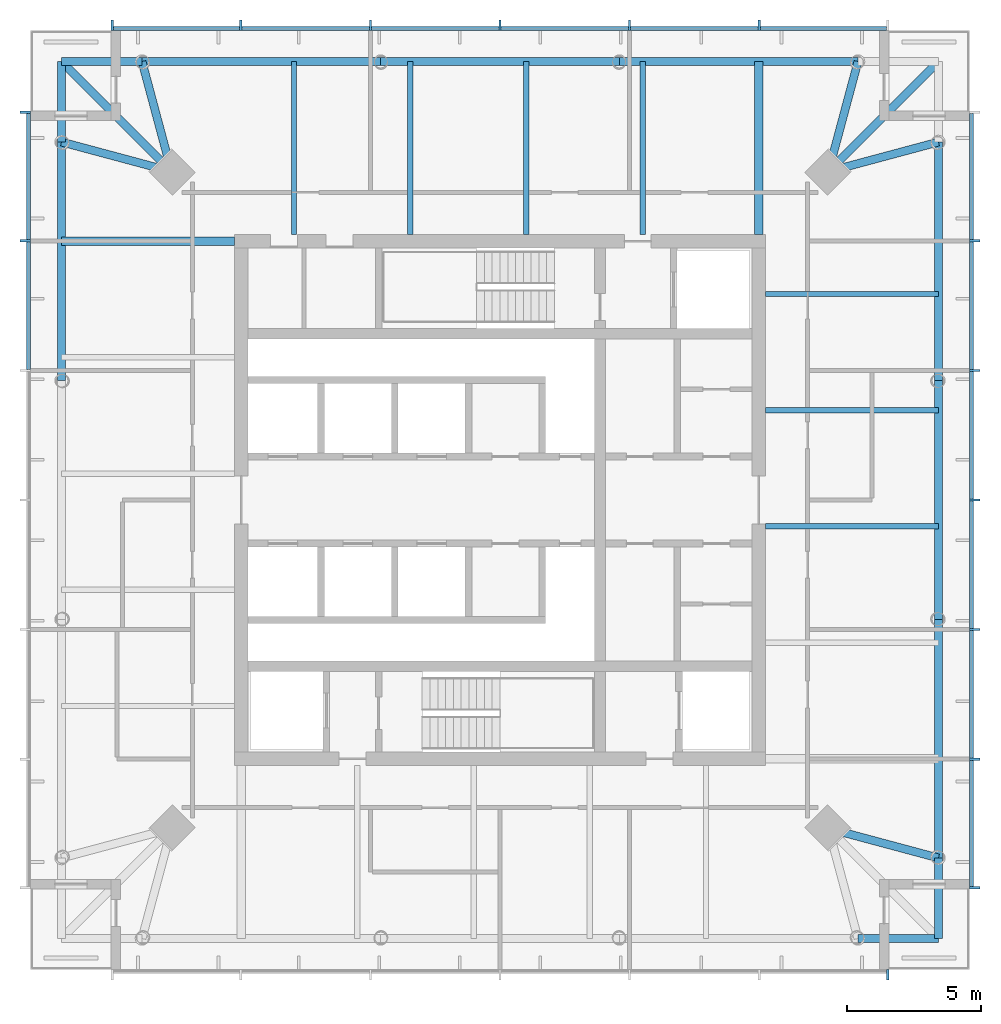
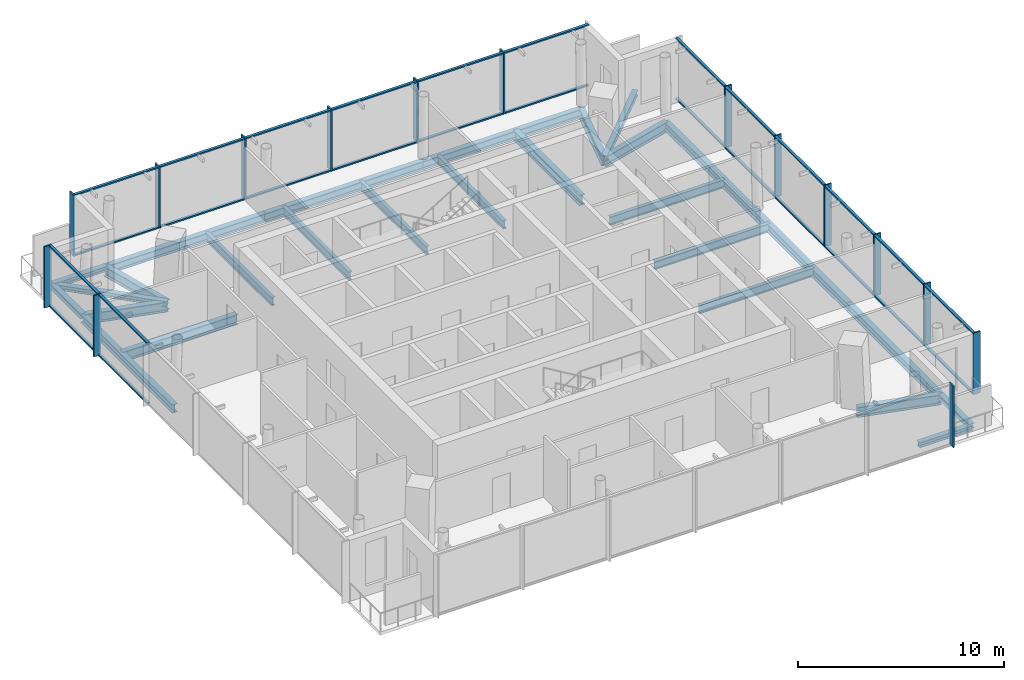
# One storey, part 2 of 7: 43 members, 27 beams, 4 elements without a shape of their own.
"""IFC4 building model written with IfcOpenShell, lengths in metres."""

from ifc_helpers import new_model, si_unit, direction, frame, origin, origin_2d, place, context, subcontext, project, spatial, rectangle, i_section, extrude, material, material_profile, profile_set, type_object, element, aggregate, save


model = new_model("IFC4")

# Units and contexts
model_context = context("Model", 3, precision=1e-05, world=origin(), true_north=direction((0.0, 1.0)))
body_context = subcontext(model_context, "Body", "Model", "MODEL_VIEW")
ifc_project = project(units=[si_unit("LENGTHUNIT", "METRE"), si_unit("AREAUNIT", "SQUARE_METRE"), si_unit("VOLUMEUNIT", "CUBIC_METRE"), si_unit("PLANEANGLEUNIT", "RADIAN"), si_unit("MASSUNIT", "GRAM", prefix="KILO")], contexts=[model_context])

# Site, building, storey
site_placement = place(None, origin())
site = spatial("IfcSite", under=ifc_project, at=site_placement, CompositionType="ELEMENT")
building_placement = place(site_placement, origin())
building = spatial("IfcBuilding", under=site, at=building_placement, Name="Ostroluk Exchange", CompositionType="ELEMENT")
storey_placement = place(building_placement, frame((0.0, 0.0, 260.39990234375)))
storey = spatial("IfcBuildingStorey", under=building, at=storey_placement, Name="L67", CompositionType="ELEMENT", Elevation=260.39990234375)

# Beams
ifc_material_1 = material(Name="Steel S355", Category="steel")
ifc_material_profile_1 = material_profile(ifc_material_1, i_section(OverallWidth=0.300048828125, OverallDepth=0.300048828125, WebThickness=0.010986328125, FlangeThickness=0.01904296875, FilletRadius=0.027099609375, at=origin_2d()), Name="HEB 300")
ifc_profile_set_1 = profile_set([ifc_material_profile_1], Name="Steel S355")
beam_type_1 = type_object("IfcBeamType", Name="Balcony beam HEB 300", PredefinedType="BEAM", material=ifc_profile_set_1)
beam_1_placement = place(storey_placement, frame((57.25, 58.25, -0.329833984375), z_axis=(0.707106781187, 0.707106781187, 0.0), x_axis=(-0.707106781187, 0.707106781187, 0.0)))
element("IfcBeam", 1, at=beam_1_placement, inside=storey, type_object=beam_type_1, Name="T1 east balcony beam c", PredefinedType="BEAM", context=body_context, shape_type="SweptSolid", body=[
    extrude(i_section(OverallWidth=0.300048828125, OverallDepth=0.300048828125, WebThickness=0.010986328125, FlangeThickness=0.01904296875, FilletRadius=0.027099609375, at=origin_2d()), origin(), (0.0, 0.0, 1.0), 5.79833984375),
])
for number, where, z_axis, x_axis, name in (
    (2, (31.64990234375, 62.35009765625, -0.329833984375), (-1.0, 0.0, 0.0), (0.0, -1.0, 0.0), "T1 north balcony beam a"),
    (3, (28.64990234375, 59.35009765625, -0.329833984375), (0.0, 1.0, 0.0), (-1.0, 0.0, 0.0), "T1 north balcony beam b"),
):
    element("IfcBeam", number, at=place(storey_placement, frame(where, z_axis=z_axis, x_axis=x_axis)), inside=storey, type_object=beam_type_1, Name=name, PredefinedType="BEAM", context=body_context, shape_type="SweptSolid", body=[
        extrude(i_section(OverallWidth=0.300048828125, OverallDepth=0.300048828125, WebThickness=0.010986328125, FlangeThickness=0.01904296875, FilletRadius=0.027099609375, at=origin_2d()), origin(), (0.0, 0.0, 1.0), 3.0),
    ])
beam_2_placement = place(storey_placement, frame((32.75, 58.25, -0.329833984375), z_axis=(-0.707106781187, 0.707106781187, 0.0), x_axis=(-0.707106781187, -0.707106781187, 0.0)))
element("IfcBeam", 4, at=beam_2_placement, inside=storey, type_object=beam_type_1, Name="T1 north balcony beam c", PredefinedType="BEAM", context=body_context, shape_type="SweptSolid", body=[
    extrude(i_section(OverallWidth=0.300048828125, OverallDepth=0.300048828125, WebThickness=0.010986328125, FlangeThickness=0.01904296875, FilletRadius=0.027099609375, at=origin_2d()), origin(), (0.0, 0.0, 1.0), 5.79833984375),
])
for number, where, z_axis, x_axis, name in (
    (5, (58.35009765625, 29.64990234375, -0.329833984375), (1.0, 0.0, 0.0), (0.0, 1.0, 0.0), "T1 south balcony beam a"),
    (6, (61.35009765625, 32.64990234375, -0.329833984375), (0.0, -1.0, 0.0), (1.0, 0.0, 0.0), "T1 south balcony beam b"),
):
    element("IfcBeam", number, at=place(storey_placement, frame(where, z_axis=z_axis, x_axis=x_axis)), inside=storey, type_object=beam_type_1, Name=name, PredefinedType="BEAM", context=body_context, shape_type="SweptSolid", body=[
        extrude(i_section(OverallWidth=0.300048828125, OverallDepth=0.300048828125, WebThickness=0.010986328125, FlangeThickness=0.01904296875, FilletRadius=0.027099609375, at=origin_2d()), origin(), (0.0, 0.0, 1.0), 3.0),
    ])
ifc_material_2 = material(Name="Steel S355", Category="steel")
ifc_material_profile_2 = material_profile(ifc_material_2, i_section(OverallWidth=0.300048828125, OverallDepth=0.60009765625, WebThickness=0.015380859375, FlangeThickness=0.030029296875, FilletRadius=0.027099609375, at=origin_2d()), Name="HEB 600")
ifc_profile_set_2 = profile_set([ifc_material_profile_2], Name="Steel S355")
beam_type_2 = type_object("IfcBeamType", Name="Corner edge beam HEB 600", PredefinedType="SPANDREL", material=ifc_profile_set_2)
for number, where, z_axis, x_axis, name in (
    (7, (57.25, 58.25, -0.47998046875), (0.965838624319, 0.259144268261, 0.0), (-0.259144268261, 0.965838624319, 0.0), "T1 east corner edge beam a"),
    (8, (57.25, 58.25, -0.47998046875), (0.259144268261, 0.965838624319, 0.0), (-0.965838624319, 0.259144268261, 0.0), "T1 east corner edge beam b"),
    (9, (32.75, 58.25, -0.47998046875), (-0.259144268261, 0.965838624319, 0.0), (-0.965838624319, -0.259144268261, 0.0), "T1 north corner edge beam a"),
    (10, (32.75, 58.25, -0.47998046875), (-0.965838624319, 0.259144268261, 0.0), (-0.259144268261, -0.965838624319, 0.0), "T1 north corner edge beam b"),
    (11, (57.25, 33.75, -0.47998046875), (0.965838624319, -0.259144268261, 0.0), (0.259144268261, 0.965838624319, 0.0), "T1 south corner edge beam b"),
):
    element("IfcBeam", number, at=place(storey_placement, frame(where, z_axis=z_axis, x_axis=x_axis)), inside=storey, type_object=beam_type_2, Name=name, PredefinedType="SPANDREL", context=body_context, shape_type="SweptSolid", body=[
        extrude(i_section(OverallWidth=0.300048828125, OverallDepth=0.60009765625, WebThickness=0.015380859375, FlangeThickness=0.030029296875, FilletRadius=0.027099609375, at=origin_2d()), origin(), (0.0, 0.0, 1.0), 4.2451171875),
    ])
ifc_material_3 = material(Name="Steel S355", Category="steel")
ifc_material_profile_3 = material_profile(ifc_material_3, i_section(OverallWidth=0.199951171875, OverallDepth=0.5, WebThickness=0.01025390625, FlangeThickness=0.01611328125, FilletRadius=0.02099609375, at=origin_2d()), Name="IPE 500")
ifc_profile_set_3 = profile_set([ifc_material_profile_3], Name="Steel S355")
beam_type_3 = type_object("IfcBeamType", Name="Floor beam IPE 500", PredefinedType="BEAM", material=ifc_profile_set_3)
for number, where, z_axis, x_axis, name in (
    (12, (54.89990234375, 45.0166015625, -0.429931640625), (1.0, 0.0, 0.0), (0.0, 1.0, 0.0), "T1 east floor beam 2"),
    (13, (54.89990234375, 49.35009765625, -0.429931640625), (1.0, 0.0, 0.0), (0.0, 1.0, 0.0), "T1 east floor beam 3"),
    (14, (54.89990234375, 53.683349609375, -0.429931640625), (1.0, 0.0, 0.0), (0.0, 1.0, 0.0), "T1 east floor beam 4"),
    (15, (50.316650390625, 55.89990234375, -0.429931640625), (0.0, 1.0, 0.0), (-1.0, 0.0, 0.0), "T1 north floor beam 1"),
    (16, (45.9833984375, 55.89990234375, -0.429931640625), (0.0, 1.0, 0.0), (-1.0, 0.0, 0.0), "T1 north floor beam 2"),
    (17, (41.64990234375, 55.89990234375, -0.429931640625), (0.0, 1.0, 0.0), (-1.0, 0.0, 0.0), "T1 north floor beam 3"),
    (18, (37.316650390625, 55.89990234375, -0.429931640625), (0.0, 1.0, 0.0), (-1.0, 0.0, 0.0), "T1 north floor beam 4"),
):
    element("IfcBeam", number, at=place(storey_placement, frame(where, z_axis=z_axis, x_axis=x_axis)), inside=storey, type_object=beam_type_3, Name=name, PredefinedType="BEAM", context=body_context, shape_type="SweptSolid", body=[
        extrude(i_section(OverallWidth=0.199951171875, OverallDepth=0.5, WebThickness=0.01025390625, FlangeThickness=0.01611328125, FilletRadius=0.02099609375, at=origin_2d()), origin(), (0.0, 0.0, 1.0), 6.4501953125),
    ])
ifc_material_4 = material(Name="Steel S355", Category="steel")
ifc_material_profile_4 = material_profile(ifc_material_4, i_section(OverallWidth=0.300048828125, OverallDepth=0.60009765625, WebThickness=0.015380859375, FlangeThickness=0.030029296875, FilletRadius=0.027099609375, at=origin_2d()), Name="HEB 600")
ifc_profile_set_4 = profile_set([ifc_material_profile_4], Name="Steel S355")
beam_type_4 = type_object("IfcBeamType", Name="Girder HEB 600", PredefinedType="BEAM", material=ifc_profile_set_4)
for number, where, z_axis, x_axis, name in (
    (19, (54.64990234375, 55.89990234375, -0.47998046875), (0.0, 1.0, 0.0), (-1.0, 0.0, 0.0), "T1 east girder"),
    (20, (35.10009765625, 55.64990234375, -0.47998046875), (-1.0, 0.0, 0.0), (0.0, -1.0, 0.0), "T1 north girder"),
):
    element("IfcBeam", number, at=place(storey_placement, frame(where, z_axis=z_axis, x_axis=x_axis)), inside=storey, type_object=beam_type_4, Name=name, PredefinedType="BEAM", context=body_context, shape_type="SweptSolid", body=[
        extrude(i_section(OverallWidth=0.300048828125, OverallDepth=0.60009765625, WebThickness=0.015380859375, FlangeThickness=0.030029296875, FilletRadius=0.027099609375, at=origin_2d()), origin(), (0.0, 0.0, 1.0), 6.4501953125),
    ])
ifc_material_5 = material(Name="Steel S355", Category="steel")
ifc_material_profile_5 = material_profile(ifc_material_5, i_section(OverallWidth=0.300048828125, OverallDepth=0.5, WebThickness=0.014404296875, FlangeThickness=0.028076171875, FilletRadius=0.027099609375, at=origin_2d()), Name="HEB 500")
ifc_profile_set_5 = profile_set([ifc_material_profile_5], Name="Steel S355")
beam_type_5 = type_object("IfcBeamType", Name="Moment-connected edge beam HEB 500", PredefinedType="SPANDREL", material=ifc_profile_set_5)
beam_3_placement = place(storey_placement, frame((61.35009765625, 32.64990234375, -0.429931640625), z_axis=(0.0, 1.0, 0.0), x_axis=(-1.0, 0.0, 0.0)))
element("IfcBeam", 21, at=beam_3_placement, inside=storey, type_object=beam_type_5, Name="T1 east edge beam 1", PredefinedType="SPANDREL", context=body_context, shape_type="SweptSolid", body=[
    extrude(i_section(OverallWidth=0.300048828125, OverallDepth=0.5, WebThickness=0.014404296875, FlangeThickness=0.028076171875, FilletRadius=0.027099609375, at=origin_2d()), origin(), (0.0, 0.0, 1.0), 8.900146484375),
])
beam_4_placement = place(storey_placement, frame((61.35009765625, 41.550048828125, -0.429931640625), z_axis=(0.0, 1.0, 0.0), x_axis=(-1.0, 0.0, 0.0)))
element("IfcBeam", 22, at=beam_4_placement, inside=storey, type_object=beam_type_5, Name="T1 east edge beam 2", PredefinedType="SPANDREL", context=body_context, shape_type="SweptSolid", body=[
    extrude(i_section(OverallWidth=0.300048828125, OverallDepth=0.5, WebThickness=0.014404296875, FlangeThickness=0.028076171875, FilletRadius=0.027099609375, at=origin_2d()), origin(), (0.0, 0.0, 1.0), 8.89990234375),
])
for number, where, z_axis, x_axis, name in (
    (23, (61.35009765625, 50.449951171875, -0.429931640625), (0.0, 1.0, 0.0), (-1.0, 0.0, 0.0), "T1 east edge beam 3"),
    (24, (58.35009765625, 62.35009765625, -0.429931640625), (-1.0, 0.0, 0.0), (0.0, -1.0, 0.0), "T1 north edge beam 1"),
):
    element("IfcBeam", number, at=place(storey_placement, frame(where, z_axis=z_axis, x_axis=x_axis)), inside=storey, type_object=beam_type_5, Name=name, PredefinedType="SPANDREL", context=body_context, shape_type="SweptSolid", body=[
        extrude(i_section(OverallWidth=0.300048828125, OverallDepth=0.5, WebThickness=0.014404296875, FlangeThickness=0.028076171875, FilletRadius=0.027099609375, at=origin_2d()), origin(), (0.0, 0.0, 1.0), 8.900146484375),
    ])
beam_5_placement = place(storey_placement, frame((49.449951171875, 62.35009765625, -0.429931640625), z_axis=(-1.0, 0.0, 0.0), x_axis=(0.0, -1.0, 0.0)))
element("IfcBeam", 25, at=beam_5_placement, inside=storey, type_object=beam_type_5, Name="T1 north edge beam 2", PredefinedType="SPANDREL", context=body_context, shape_type="SweptSolid", body=[
    extrude(i_section(OverallWidth=0.300048828125, OverallDepth=0.5, WebThickness=0.014404296875, FlangeThickness=0.028076171875, FilletRadius=0.027099609375, at=origin_2d()), origin(), (0.0, 0.0, 1.0), 8.89990234375),
])
for number, where, z_axis, x_axis, name in (
    (26, (40.550048828125, 62.35009765625, -0.429931640625), (-1.0, 0.0, 0.0), (0.0, -1.0, 0.0), "T1 north edge beam 3"),
    (27, (28.64990234375, 59.35009765625, -0.429931640625), (0.0, -1.0, 0.0), (1.0, 0.0, 0.0), "T1 west edge beam 1"),
):
    element("IfcBeam", number, at=place(storey_placement, frame(where, z_axis=z_axis, x_axis=x_axis)), inside=storey, type_object=beam_type_5, Name=name, PredefinedType="SPANDREL", context=body_context, shape_type="SweptSolid", body=[
        extrude(i_section(OverallWidth=0.300048828125, OverallDepth=0.5, WebThickness=0.014404296875, FlangeThickness=0.028076171875, FilletRadius=0.027099609375, at=origin_2d()), origin(), (0.0, 0.0, 1.0), 8.900146484375),
    ])

# Curtain wall, members
ifc_material_6 = material(Name="Laminated clear glass", Category="glass")
curtain_wall_type = type_object("IfcCurtainWallType", Name="Office tower facade", PredefinedType="USERDEFINED", material=ifc_material_6)
curtain_wall_1_placement = place(storey_placement, origin())
curtain_wall_1 = element("IfcCurtainWall", 28, at=curtain_wall_1_placement, inside=storey, type_object=curtain_wall_type, Name="Office tower east facade L67", ObjectType="UNITISED CURTAIN WALL", PredefinedType="USERDEFINED")
ifc_material_7 = material(Name="Aluminium mullion", Category="aluminium")
ifc_material_profile_6 = material_profile(ifc_material_7, rectangle(XDim=0.14990234375, YDim=0.080078125, at=origin_2d()), Name="Sill transom 80 x 150")
ifc_profile_set_6 = profile_set([ifc_material_profile_6], Name="Aluminium mullion")
member_type_1 = type_object("IfcMemberType", Name="Sill transom 80 x 150", PredefinedType="USERDEFINED", material=ifc_profile_set_6)
member_1_placement = place(storey_placement, frame((62.574951171875, 31.580078125, 0.0400390625), z_axis=(0.0, 1.0, 0.0), x_axis=(-1.0, 0.0, 0.0)))
member_1 = element("IfcMember", 29, at=member_1_placement, type_object=member_type_1, Name="CW-O1 transom 1.1", ObjectType="TRANSOM", PredefinedType="USERDEFINED", context=body_context, shape_type="SweptSolid", body=[
    extrude(rectangle(XDim=0.14990234375, YDim=0.080078125, at=origin_2d()), origin(), (0.0, 0.0, 1.0), 4.713134765625),
])
member_2_placement = place(storey_placement, frame((62.574951171875, 31.580078125, 3.610107421875), z_axis=(0.0, 1.0, 0.0), x_axis=(-1.0, 0.0, 0.0)))
member_2 = element("IfcMember", 30, at=member_2_placement, type_object=member_type_1, Name="CW-O1 transom 1.2", ObjectType="TRANSOM", PredefinedType="USERDEFINED", context=body_context, shape_type="SweptSolid", body=[
    extrude(rectangle(XDim=0.14990234375, YDim=0.080078125, at=origin_2d()), origin(), (0.0, 0.0, 1.0), 4.713134765625),
])
member_3_placement = place(storey_placement, frame((62.574951171875, 36.373291015625, 0.0400390625), z_axis=(0.0, 1.0, 0.0), x_axis=(-1.0, 0.0, 0.0)))
member_3 = element("IfcMember", 31, at=member_3_placement, type_object=member_type_1, Name="CW-O1 transom 2.1", ObjectType="TRANSOM", PredefinedType="USERDEFINED", context=body_context, shape_type="SweptSolid", body=[
    extrude(rectangle(XDim=0.14990234375, YDim=0.080078125, at=origin_2d()), origin(), (0.0, 0.0, 1.0), 4.75341796875),
])
member_4_placement = place(storey_placement, frame((62.574951171875, 36.373291015625, 3.610107421875), z_axis=(0.0, 1.0, 0.0), x_axis=(-1.0, 0.0, 0.0)))
member_4 = element("IfcMember", 32, at=member_4_placement, type_object=member_type_1, Name="CW-O1 transom 2.2", ObjectType="TRANSOM", PredefinedType="USERDEFINED", context=body_context, shape_type="SweptSolid", body=[
    extrude(rectangle(XDim=0.14990234375, YDim=0.080078125, at=origin_2d()), origin(), (0.0, 0.0, 1.0), 4.75341796875),
])
member_5_placement = place(storey_placement, frame((62.574951171875, 41.206787109375, 0.0400390625), z_axis=(0.0, 1.0, 0.0), x_axis=(-1.0, 0.0, 0.0)))
member_5 = element("IfcMember", 33, at=member_5_placement, type_object=member_type_1, Name="CW-O1 transom 3.1", ObjectType="TRANSOM", PredefinedType="USERDEFINED", context=body_context, shape_type="SweptSolid", body=[
    extrude(rectangle(XDim=0.14990234375, YDim=0.080078125, at=origin_2d()), origin(), (0.0, 0.0, 1.0), 4.753173828125),
])
member_6_placement = place(storey_placement, frame((62.574951171875, 41.206787109375, 3.610107421875), z_axis=(0.0, 1.0, 0.0), x_axis=(-1.0, 0.0, 0.0)))
member_6 = element("IfcMember", 34, at=member_6_placement, type_object=member_type_1, Name="CW-O1 transom 3.2", ObjectType="TRANSOM", PredefinedType="USERDEFINED", context=body_context, shape_type="SweptSolid", body=[
    extrude(rectangle(XDim=0.14990234375, YDim=0.080078125, at=origin_2d()), origin(), (0.0, 0.0, 1.0), 4.753173828125),
])
member_7_placement = place(storey_placement, frame((62.574951171875, 46.0400390625, 0.0400390625), z_axis=(0.0, 1.0, 0.0), x_axis=(-1.0, 0.0, 0.0)))
member_7 = element("IfcMember", 35, at=member_7_placement, type_object=member_type_1, Name="CW-O1 transom 4.1", ObjectType="TRANSOM", PredefinedType="USERDEFINED", context=body_context, shape_type="SweptSolid", body=[
    extrude(rectangle(XDim=0.14990234375, YDim=0.080078125, at=origin_2d()), origin(), (0.0, 0.0, 1.0), 4.753173828125),
])
member_8_placement = place(storey_placement, frame((62.574951171875, 46.0400390625, 3.610107421875), z_axis=(0.0, 1.0, 0.0), x_axis=(-1.0, 0.0, 0.0)))
member_8 = element("IfcMember", 36, at=member_8_placement, type_object=member_type_1, Name="CW-O1 transom 4.2", ObjectType="TRANSOM", PredefinedType="USERDEFINED", context=body_context, shape_type="SweptSolid", body=[
    extrude(rectangle(XDim=0.14990234375, YDim=0.080078125, at=origin_2d()), origin(), (0.0, 0.0, 1.0), 4.753173828125),
])
member_9_placement = place(storey_placement, frame((62.574951171875, 50.873291015625, 0.0400390625), z_axis=(0.0, 1.0, 0.0), x_axis=(-1.0, 0.0, 0.0)))
member_9 = element("IfcMember", 37, at=member_9_placement, type_object=member_type_1, Name="CW-O1 transom 5.1", ObjectType="TRANSOM", PredefinedType="USERDEFINED", context=body_context, shape_type="SweptSolid", body=[
    extrude(rectangle(XDim=0.14990234375, YDim=0.080078125, at=origin_2d()), origin(), (0.0, 0.0, 1.0), 4.75341796875),
])
member_10_placement = place(storey_placement, frame((62.574951171875, 50.873291015625, 3.610107421875), z_axis=(0.0, 1.0, 0.0), x_axis=(-1.0, 0.0, 0.0)))
member_10 = element("IfcMember", 38, at=member_10_placement, type_object=member_type_1, Name="CW-O1 transom 5.2", ObjectType="TRANSOM", PredefinedType="USERDEFINED", context=body_context, shape_type="SweptSolid", body=[
    extrude(rectangle(XDim=0.14990234375, YDim=0.080078125, at=origin_2d()), origin(), (0.0, 0.0, 1.0), 4.75341796875),
])
member_11_placement = place(storey_placement, frame((62.574951171875, 55.706787109375, 0.0400390625), z_axis=(0.0, 1.0, 0.0), x_axis=(-1.0, 0.0, 0.0)))
member_11 = element("IfcMember", 39, at=member_11_placement, type_object=member_type_1, Name="CW-O1 transom 6.1", ObjectType="TRANSOM", PredefinedType="USERDEFINED", context=body_context, shape_type="SweptSolid", body=[
    extrude(rectangle(XDim=0.14990234375, YDim=0.080078125, at=origin_2d()), origin(), (0.0, 0.0, 1.0), 4.713134765625),
])
member_12_placement = place(storey_placement, frame((62.574951171875, 55.706787109375, 3.610107421875), z_axis=(0.0, 1.0, 0.0), x_axis=(-1.0, 0.0, 0.0)))
member_12 = element("IfcMember", 40, at=member_12_placement, type_object=member_type_1, Name="CW-O1 transom 6.2", ObjectType="TRANSOM", PredefinedType="USERDEFINED", context=body_context, shape_type="SweptSolid", body=[
    extrude(rectangle(XDim=0.14990234375, YDim=0.080078125, at=origin_2d()), origin(), (0.0, 0.0, 1.0), 4.713134765625),
])

curtain_wall_2_placement = place(storey_placement, origin())
curtain_wall_2 = element("IfcCurtainWall", 41, at=curtain_wall_2_placement, inside=storey, type_object=curtain_wall_type, Name="Office tower north facade L67", ObjectType="UNITISED CURTAIN WALL", PredefinedType="USERDEFINED")
member_13_placement = place(storey_placement, frame((59.419921875, 63.574951171875, 0.0400390625), z_axis=(-1.0, 0.0, 0.0), x_axis=(0.0, -1.0, 0.0)))
member_13 = element("IfcMember", 42, at=member_13_placement, type_object=member_type_1, Name="CW-O1 transom 1.1", ObjectType="TRANSOM", PredefinedType="USERDEFINED", context=body_context, shape_type="SweptSolid", body=[
    extrude(rectangle(XDim=0.14990234375, YDim=0.080078125, at=origin_2d()), origin(), (0.0, 0.0, 1.0), 4.713134765625),
])
member_14_placement = place(storey_placement, frame((59.419921875, 63.574951171875, 3.610107421875), z_axis=(-1.0, 0.0, 0.0), x_axis=(0.0, -1.0, 0.0)))
member_14 = element("IfcMember", 43, at=member_14_placement, type_object=member_type_1, Name="CW-O1 transom 1.2", ObjectType="TRANSOM", PredefinedType="USERDEFINED", context=body_context, shape_type="SweptSolid", body=[
    extrude(rectangle(XDim=0.14990234375, YDim=0.080078125, at=origin_2d()), origin(), (0.0, 0.0, 1.0), 4.713134765625),
])
member_15_placement = place(storey_placement, frame((54.626708984375, 63.574951171875, 0.0400390625), z_axis=(-1.0, 0.0, 0.0), x_axis=(0.0, -1.0, 0.0)))
member_15 = element("IfcMember", 44, at=member_15_placement, type_object=member_type_1, Name="CW-O1 transom 2.1", ObjectType="TRANSOM", PredefinedType="USERDEFINED", context=body_context, shape_type="SweptSolid", body=[
    extrude(rectangle(XDim=0.14990234375, YDim=0.080078125, at=origin_2d()), origin(), (0.0, 0.0, 1.0), 4.75341796875),
])
member_16_placement = place(storey_placement, frame((54.626708984375, 63.574951171875, 3.610107421875), z_axis=(-1.0, 0.0, 0.0), x_axis=(0.0, -1.0, 0.0)))
member_16 = element("IfcMember", 45, at=member_16_placement, type_object=member_type_1, Name="CW-O1 transom 2.2", ObjectType="TRANSOM", PredefinedType="USERDEFINED", context=body_context, shape_type="SweptSolid", body=[
    extrude(rectangle(XDim=0.14990234375, YDim=0.080078125, at=origin_2d()), origin(), (0.0, 0.0, 1.0), 4.75341796875),
])
member_17_placement = place(storey_placement, frame((49.793212890625, 63.574951171875, 0.0400390625), z_axis=(-1.0, 0.0, 0.0), x_axis=(0.0, -1.0, 0.0)))
member_17 = element("IfcMember", 46, at=member_17_placement, type_object=member_type_1, Name="CW-O1 transom 3.1", ObjectType="TRANSOM", PredefinedType="USERDEFINED", context=body_context, shape_type="SweptSolid", body=[
    extrude(rectangle(XDim=0.14990234375, YDim=0.080078125, at=origin_2d()), origin(), (0.0, 0.0, 1.0), 4.753173828125),
])
member_18_placement = place(storey_placement, frame((49.793212890625, 63.574951171875, 3.610107421875), z_axis=(-1.0, 0.0, 0.0), x_axis=(0.0, -1.0, 0.0)))
member_18 = element("IfcMember", 47, at=member_18_placement, type_object=member_type_1, Name="CW-O1 transom 3.2", ObjectType="TRANSOM", PredefinedType="USERDEFINED", context=body_context, shape_type="SweptSolid", body=[
    extrude(rectangle(XDim=0.14990234375, YDim=0.080078125, at=origin_2d()), origin(), (0.0, 0.0, 1.0), 4.753173828125),
])
member_19_placement = place(storey_placement, frame((44.9599609375, 63.574951171875, 0.0400390625), z_axis=(-1.0, 0.0, 0.0), x_axis=(0.0, -1.0, 0.0)))
member_19 = element("IfcMember", 48, at=member_19_placement, type_object=member_type_1, Name="CW-O1 transom 4.1", ObjectType="TRANSOM", PredefinedType="USERDEFINED", context=body_context, shape_type="SweptSolid", body=[
    extrude(rectangle(XDim=0.14990234375, YDim=0.080078125, at=origin_2d()), origin(), (0.0, 0.0, 1.0), 4.753173828125),
])
member_20_placement = place(storey_placement, frame((44.9599609375, 63.574951171875, 3.610107421875), z_axis=(-1.0, 0.0, 0.0), x_axis=(0.0, -1.0, 0.0)))
member_20 = element("IfcMember", 49, at=member_20_placement, type_object=member_type_1, Name="CW-O1 transom 4.2", ObjectType="TRANSOM", PredefinedType="USERDEFINED", context=body_context, shape_type="SweptSolid", body=[
    extrude(rectangle(XDim=0.14990234375, YDim=0.080078125, at=origin_2d()), origin(), (0.0, 0.0, 1.0), 4.753173828125),
])
member_21_placement = place(storey_placement, frame((40.126708984375, 63.574951171875, 0.0400390625), z_axis=(-1.0, 0.0, 0.0), x_axis=(0.0, -1.0, 0.0)))
member_21 = element("IfcMember", 50, at=member_21_placement, type_object=member_type_1, Name="CW-O1 transom 5.1", ObjectType="TRANSOM", PredefinedType="USERDEFINED", context=body_context, shape_type="SweptSolid", body=[
    extrude(rectangle(XDim=0.14990234375, YDim=0.080078125, at=origin_2d()), origin(), (0.0, 0.0, 1.0), 4.75341796875),
])
member_22_placement = place(storey_placement, frame((40.126708984375, 63.574951171875, 3.610107421875), z_axis=(-1.0, 0.0, 0.0), x_axis=(0.0, -1.0, 0.0)))
member_22 = element("IfcMember", 51, at=member_22_placement, type_object=member_type_1, Name="CW-O1 transom 5.2", ObjectType="TRANSOM", PredefinedType="USERDEFINED", context=body_context, shape_type="SweptSolid", body=[
    extrude(rectangle(XDim=0.14990234375, YDim=0.080078125, at=origin_2d()), origin(), (0.0, 0.0, 1.0), 4.75341796875),
])
member_23_placement = place(storey_placement, frame((35.293212890625, 63.574951171875, 0.0400390625), z_axis=(-1.0, 0.0, 0.0), x_axis=(0.0, -1.0, 0.0)))
member_23 = element("IfcMember", 52, at=member_23_placement, type_object=member_type_1, Name="CW-O1 transom 6.1", ObjectType="TRANSOM", PredefinedType="USERDEFINED", context=body_context, shape_type="SweptSolid", body=[
    extrude(rectangle(XDim=0.14990234375, YDim=0.080078125, at=origin_2d()), origin(), (0.0, 0.0, 1.0), 4.713134765625),
])
member_24_placement = place(storey_placement, frame((35.293212890625, 63.574951171875, 3.610107421875), z_axis=(-1.0, 0.0, 0.0), x_axis=(0.0, -1.0, 0.0)))
member_24 = element("IfcMember", 53, at=member_24_placement, type_object=member_type_1, Name="CW-O1 transom 6.2", ObjectType="TRANSOM", PredefinedType="USERDEFINED", context=body_context, shape_type="SweptSolid", body=[
    extrude(rectangle(XDim=0.14990234375, YDim=0.080078125, at=origin_2d()), origin(), (0.0, 0.0, 1.0), 4.713134765625),
])

curtain_wall_3_placement = place(storey_placement, origin())
curtain_wall_3 = element("IfcCurtainWall", 54, at=curtain_wall_3_placement, inside=storey, type_object=curtain_wall_type, Name="Office tower west facade L67", ObjectType="UNITISED CURTAIN WALL", PredefinedType="USERDEFINED")
member_25_placement = place(storey_placement, frame((27.425048828125, 60.419921875, 0.0400390625), z_axis=(0.0, -1.0, 0.0), x_axis=(1.0, 0.0, 0.0)))
member_25 = element("IfcMember", 55, at=member_25_placement, type_object=member_type_1, Name="CW-O1 transom 1.1", ObjectType="TRANSOM", PredefinedType="USERDEFINED", context=body_context, shape_type="SweptSolid", body=[
    extrude(rectangle(XDim=0.14990234375, YDim=0.080078125, at=origin_2d()), origin(), (0.0, 0.0, 1.0), 4.713134765625),
])
member_26_placement = place(storey_placement, frame((27.425048828125, 60.419921875, 3.610107421875), z_axis=(0.0, -1.0, 0.0), x_axis=(1.0, 0.0, 0.0)))
member_26 = element("IfcMember", 56, at=member_26_placement, type_object=member_type_1, Name="CW-O1 transom 1.2", ObjectType="TRANSOM", PredefinedType="USERDEFINED", context=body_context, shape_type="SweptSolid", body=[
    extrude(rectangle(XDim=0.14990234375, YDim=0.080078125, at=origin_2d()), origin(), (0.0, 0.0, 1.0), 4.713134765625),
])
member_27_placement = place(storey_placement, frame((27.425048828125, 55.626708984375, 0.0400390625), z_axis=(0.0, -1.0, 0.0), x_axis=(1.0, 0.0, 0.0)))
member_27 = element("IfcMember", 57, at=member_27_placement, type_object=member_type_1, Name="CW-O1 transom 2.1", ObjectType="TRANSOM", PredefinedType="USERDEFINED", context=body_context, shape_type="SweptSolid", body=[
    extrude(rectangle(XDim=0.14990234375, YDim=0.080078125, at=origin_2d()), origin(), (0.0, 0.0, 1.0), 4.75341796875),
])
member_28_placement = place(storey_placement, frame((27.425048828125, 55.626708984375, 3.610107421875), z_axis=(0.0, -1.0, 0.0), x_axis=(1.0, 0.0, 0.0)))
member_28 = element("IfcMember", 58, at=member_28_placement, type_object=member_type_1, Name="CW-O1 transom 2.2", ObjectType="TRANSOM", PredefinedType="USERDEFINED", context=body_context, shape_type="SweptSolid", body=[
    extrude(rectangle(XDim=0.14990234375, YDim=0.080078125, at=origin_2d()), origin(), (0.0, 0.0, 1.0), 4.75341796875),
])

# Curtain wall, member
curtain_wall_4_placement = place(storey_placement, origin())
curtain_wall_4 = element("IfcCurtainWall", 59, at=curtain_wall_4_placement, inside=storey, type_object=curtain_wall_type, Name="Office tower south facade L67", ObjectType="UNITISED CURTAIN WALL", PredefinedType="USERDEFINED")
ifc_material_8 = material(Name="Aluminium mullion with limestone facing", Category="masonry")
ifc_material_profile_7 = material_profile(ifc_material_8, rectangle(XDim=0.39990234375, YDim=0.080078125, at=origin_2d()), Name="Tracery mullion 80 x 400")
ifc_profile_set_7 = profile_set([ifc_material_profile_7], Name="Aluminium mullion with limestone facing")
member_type_2 = type_object("IfcMemberType", Name="Tracery mullion 80 x 400", PredefinedType="MULLION", material=ifc_profile_set_7)
member_29_placement = place(storey_placement, frame((59.4599609375, 28.300048828125, 0.0), z_axis=(0.0, 0.0, 1.0), x_axis=(0.0, 1.0, 0.0)))
member_29 = element("IfcMember", 60, at=member_29_placement, type_object=member_type_2, Name="CW-O1 mullion 7", PredefinedType="MULLION", context=body_context, shape_type="SweptSolid", body=[
    extrude(rectangle(XDim=0.39990234375, YDim=0.080078125, at=origin_2d()), origin(), (0.0, 0.0, 1.0), 3.650146484375),
])
aggregate(curtain_wall_4, [member_29])

# Member
member_30_placement = place(storey_placement, frame((62.699951171875, 31.5400390625, 0.0), z_axis=(0.0, 0.0, 1.0), x_axis=(-1.0, 0.0, 0.0)))
member_30 = element("IfcMember", 61, at=member_30_placement, type_object=member_type_2, Name="CW-O1 mullion 1", PredefinedType="MULLION", context=body_context, shape_type="SweptSolid", body=[
    extrude(rectangle(XDim=0.39990234375, YDim=0.080078125, at=origin_2d()), origin(), (0.0, 0.0, 1.0), 3.650146484375),
])

member_31_placement = place(storey_placement, frame((62.699951171875, 36.333251953125, 0.0), z_axis=(0.0, 0.0, 1.0), x_axis=(-1.0, 0.0, 0.0)))
member_31 = element("IfcMember", 62, at=member_31_placement, type_object=member_type_2, Name="CW-O1 mullion 2", PredefinedType="MULLION", context=body_context, shape_type="SweptSolid", body=[
    extrude(rectangle(XDim=0.39990234375, YDim=0.080078125, at=origin_2d()), origin(), (0.0, 0.0, 1.0), 3.650146484375),
])

member_32_placement = place(storey_placement, frame((62.699951171875, 41.166748046875, 0.0), z_axis=(0.0, 0.0, 1.0), x_axis=(-1.0, 0.0, 0.0)))
member_32 = element("IfcMember", 63, at=member_32_placement, type_object=member_type_2, Name="CW-O1 mullion 3", PredefinedType="MULLION", context=body_context, shape_type="SweptSolid", body=[
    extrude(rectangle(XDim=0.39990234375, YDim=0.080078125, at=origin_2d()), origin(), (0.0, 0.0, 1.0), 3.650146484375),
])

member_33_placement = place(storey_placement, frame((62.699951171875, 46.0, 0.0), z_axis=(0.0, 0.0, 1.0), x_axis=(-1.0, 0.0, 0.0)))
member_33 = element("IfcMember", 64, at=member_33_placement, type_object=member_type_2, Name="CW-O1 mullion 4", PredefinedType="MULLION", context=body_context, shape_type="SweptSolid", body=[
    extrude(rectangle(XDim=0.39990234375, YDim=0.080078125, at=origin_2d()), origin(), (0.0, 0.0, 1.0), 3.650146484375),
])

member_34_placement = place(storey_placement, frame((62.699951171875, 50.833251953125, 0.0), z_axis=(0.0, 0.0, 1.0), x_axis=(-1.0, 0.0, 0.0)))
member_34 = element("IfcMember", 65, at=member_34_placement, type_object=member_type_2, Name="CW-O1 mullion 5", PredefinedType="MULLION", context=body_context, shape_type="SweptSolid", body=[
    extrude(rectangle(XDim=0.39990234375, YDim=0.080078125, at=origin_2d()), origin(), (0.0, 0.0, 1.0), 3.650146484375),
])

member_35_placement = place(storey_placement, frame((62.699951171875, 55.666748046875, 0.0), z_axis=(0.0, 0.0, 1.0), x_axis=(-1.0, 0.0, 0.0)))
member_35 = element("IfcMember", 66, at=member_35_placement, type_object=member_type_2, Name="CW-O1 mullion 6", PredefinedType="MULLION", context=body_context, shape_type="SweptSolid", body=[
    extrude(rectangle(XDim=0.39990234375, YDim=0.080078125, at=origin_2d()), origin(), (0.0, 0.0, 1.0), 3.650146484375),
])

aggregate(curtain_wall_1, [member_30, member_31, member_32, member_33, member_34, member_35, member_1, member_2, member_3, member_4, member_5, member_6, member_7, member_8, member_9, member_10, member_11, member_12])

member_36_placement = place(storey_placement, frame((54.666748046875, 63.699951171875, 0.0), z_axis=(0.0, 0.0, 1.0), x_axis=(0.0, -1.0, 0.0)))
member_36 = element("IfcMember", 67, at=member_36_placement, type_object=member_type_2, Name="CW-O1 mullion 2", PredefinedType="MULLION", context=body_context, shape_type="SweptSolid", body=[
    extrude(rectangle(XDim=0.39990234375, YDim=0.080078125, at=origin_2d()), origin(), (0.0, 0.0, 1.0), 3.650146484375),
])

member_37_placement = place(storey_placement, frame((49.833251953125, 63.699951171875, 0.0), z_axis=(0.0, 0.0, 1.0), x_axis=(0.0, -1.0, 0.0)))
member_37 = element("IfcMember", 68, at=member_37_placement, type_object=member_type_2, Name="CW-O1 mullion 3", PredefinedType="MULLION", context=body_context, shape_type="SweptSolid", body=[
    extrude(rectangle(XDim=0.39990234375, YDim=0.080078125, at=origin_2d()), origin(), (0.0, 0.0, 1.0), 3.650146484375),
])

member_38_placement = place(storey_placement, frame((45.0, 63.699951171875, 0.0), z_axis=(0.0, 0.0, 1.0), x_axis=(0.0, -1.0, 0.0)))
member_38 = element("IfcMember", 69, at=member_38_placement, type_object=member_type_2, Name="CW-O1 mullion 4", PredefinedType="MULLION", context=body_context, shape_type="SweptSolid", body=[
    extrude(rectangle(XDim=0.39990234375, YDim=0.080078125, at=origin_2d()), origin(), (0.0, 0.0, 1.0), 3.650146484375),
])

member_39_placement = place(storey_placement, frame((40.166748046875, 63.699951171875, 0.0), z_axis=(0.0, 0.0, 1.0), x_axis=(0.0, -1.0, 0.0)))
member_39 = element("IfcMember", 70, at=member_39_placement, type_object=member_type_2, Name="CW-O1 mullion 5", PredefinedType="MULLION", context=body_context, shape_type="SweptSolid", body=[
    extrude(rectangle(XDim=0.39990234375, YDim=0.080078125, at=origin_2d()), origin(), (0.0, 0.0, 1.0), 3.650146484375),
])

member_40_placement = place(storey_placement, frame((35.333251953125, 63.699951171875, 0.0), z_axis=(0.0, 0.0, 1.0), x_axis=(0.0, -1.0, 0.0)))
member_40 = element("IfcMember", 71, at=member_40_placement, type_object=member_type_2, Name="CW-O1 mullion 6", PredefinedType="MULLION", context=body_context, shape_type="SweptSolid", body=[
    extrude(rectangle(XDim=0.39990234375, YDim=0.080078125, at=origin_2d()), origin(), (0.0, 0.0, 1.0), 3.650146484375),
])

member_41_placement = place(storey_placement, frame((30.5400390625, 63.699951171875, 0.0), z_axis=(0.0, 0.0, 1.0), x_axis=(0.0, -1.0, 0.0)))
member_41 = element("IfcMember", 72, at=member_41_placement, type_object=member_type_2, Name="CW-O1 mullion 7", PredefinedType="MULLION", context=body_context, shape_type="SweptSolid", body=[
    extrude(rectangle(XDim=0.39990234375, YDim=0.080078125, at=origin_2d()), origin(), (0.0, 0.0, 1.0), 3.650146484375),
])

aggregate(curtain_wall_2, [member_36, member_37, member_38, member_39, member_40, member_41, member_13, member_14, member_15, member_16, member_17, member_18, member_19, member_20, member_21, member_22, member_23, member_24])

member_42_placement = place(storey_placement, frame((27.300048828125, 60.4599609375, 0.0), z_axis=(0.0, 0.0, 1.0), x_axis=(1.0, 0.0, 0.0)))
member_42 = element("IfcMember", 73, at=member_42_placement, type_object=member_type_2, Name="CW-O1 mullion 1", PredefinedType="MULLION", context=body_context, shape_type="SweptSolid", body=[
    extrude(rectangle(XDim=0.39990234375, YDim=0.080078125, at=origin_2d()), origin(), (0.0, 0.0, 1.0), 3.650146484375),
])

member_43_placement = place(storey_placement, frame((27.300048828125, 55.666748046875, 0.0), z_axis=(0.0, 0.0, 1.0), x_axis=(1.0, 0.0, 0.0)))
member_43 = element("IfcMember", 74, at=member_43_placement, type_object=member_type_2, Name="CW-O1 mullion 2", PredefinedType="MULLION", context=body_context, shape_type="SweptSolid", body=[
    extrude(rectangle(XDim=0.39990234375, YDim=0.080078125, at=origin_2d()), origin(), (0.0, 0.0, 1.0), 3.650146484375),
])

aggregate(curtain_wall_3, [member_42, member_43, member_25, member_26, member_27, member_28])

save(model, "model.ifc")
